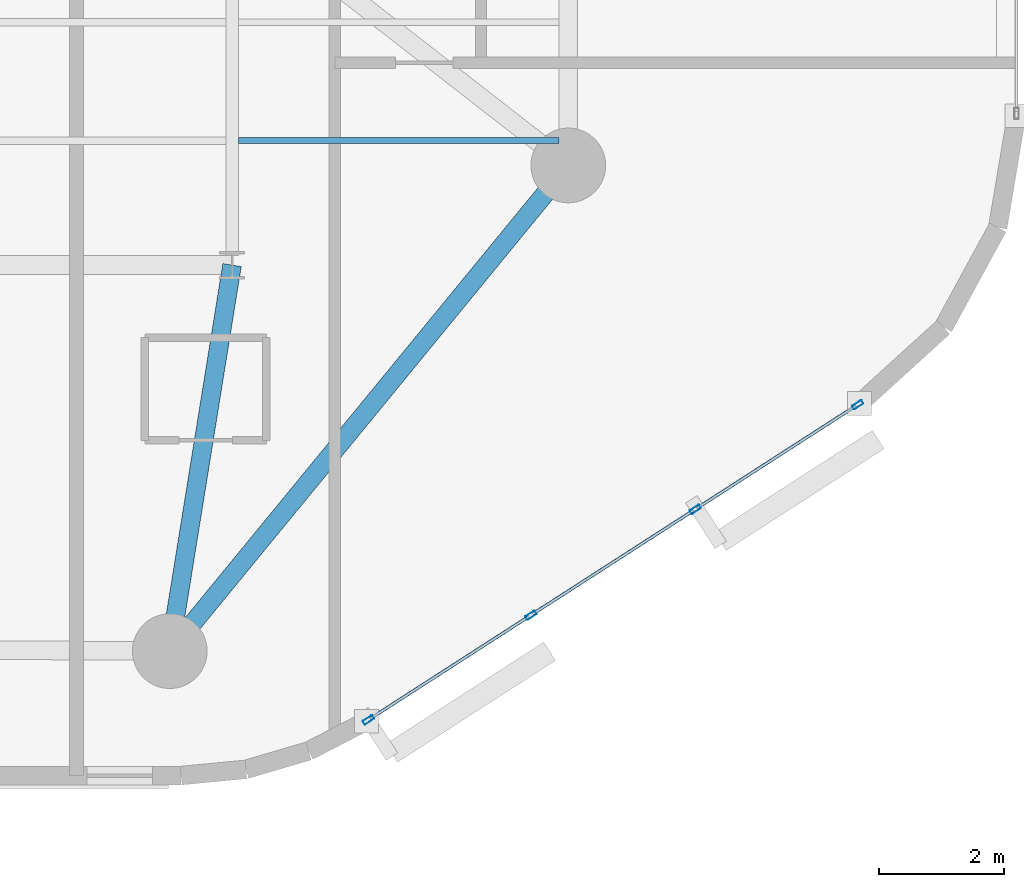
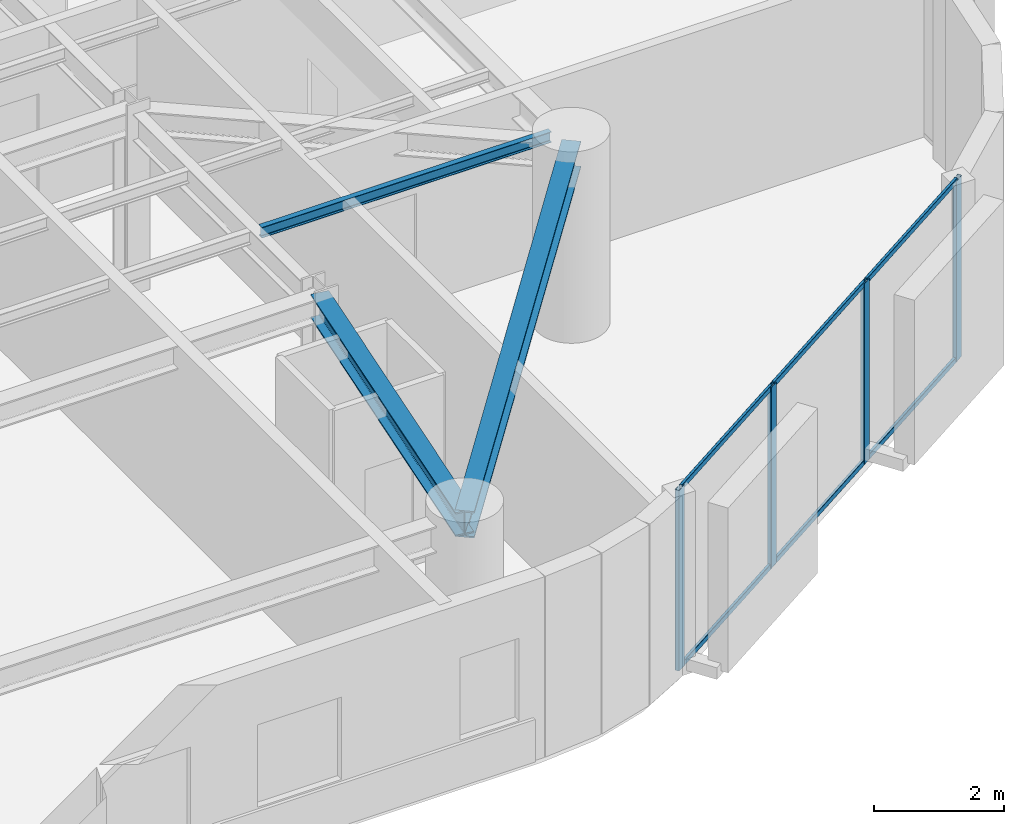
# One storey, part 2 of 15: 10 members, 3 beams, 1 element without a shape of its own.
"""IFC4 building model written with IfcOpenShell, lengths in metres."""

from ifc_helpers import new_model, si_unit, direction, frame, origin, origin_2d, place, context, subcontext, project, spatial, hollow_rectangle, i_section, extrude, material, layer, layer_set, material_profile, profile_set, type_object, element, aggregate, save


model = new_model("IFC4")

# Units and contexts
model_context = context("Model", 3, precision=1e-05, world=origin(), true_north=direction((0.0, 1.0)))
body_context = subcontext(model_context, "Body", "Model", "MODEL_VIEW")
ifc_project = project(units=[si_unit("LENGTHUNIT", "METRE"), si_unit("AREAUNIT", "SQUARE_METRE"), si_unit("VOLUMEUNIT", "CUBIC_METRE"), si_unit("PLANEANGLEUNIT", "RADIAN"), si_unit("MASSUNIT", "GRAM", prefix="KILO")], contexts=[model_context])

# Site, building, storey
site_placement = place(None, origin())
site = spatial("IfcSite", under=ifc_project, at=site_placement, CompositionType="ELEMENT")
building_placement = place(site_placement, origin())
building = spatial("IfcBuilding", under=site, at=building_placement, Name="An Khanh Terracotta Commons", CompositionType="ELEMENT")
storey_placement = place(building_placement, frame((0.0, 0.0, 147.39990234375)))
storey = spatial("IfcBuildingStorey", under=building, at=storey_placement, Name="L38", CompositionType="ELEMENT", Elevation=147.39990234375)

# Beams
ifc_material_1 = material(Name="Steel S355J2", Category="steel")
ifc_material_profile_1 = material_profile(ifc_material_1, i_section(OverallWidth=0.300048828125, OverallDepth=0.449951171875, WebThickness=0.013916015625, FlangeThickness=0.02587890625, FilletRadius=0.027099609375, at=origin_2d()), Name="HEB450")
ifc_profile_set_1 = profile_set([ifc_material_profile_1], Name="Steel S355J2")
beam_type_1 = type_object("IfcBeamType", Name="BM-HEB450", PredefinedType="BEAM", material=ifc_profile_set_1)
beam_1_placement = place(storey_placement, frame((49.39990234375, 8.199951171875, 3.175048828125), z_axis=(0.159233661074, 0.987240923575, 0.0), x_axis=(-0.987240923575, 0.159233661074, 0.0)))
element("IfcBeam", 1, at=beam_1_placement, inside=storey, type_object=beam_type_1, Name="L38 Mega-Column Tie Girder 2", PredefinedType="BEAM", context=body_context, shape_type="SweptSolid", body=[
    extrude(i_section(OverallWidth=0.300048828125, OverallDepth=0.449951171875, WebThickness=0.013916015625, FlangeThickness=0.02587890625, FilletRadius=0.027099609375, at=origin_2d()), origin(), (0.0, 0.0, 1.0), 6.280029296875),
])
ifc_material_profile_2 = material_profile(ifc_material_1, i_section(OverallWidth=0.300048828125, OverallDepth=0.5, WebThickness=0.014404296875, FlangeThickness=0.028076171875, FilletRadius=0.027099609375, at=origin_2d()), Name="HEB500")
ifc_profile_set_2 = profile_set([ifc_material_profile_2], Name="Steel S355J2")
beam_type_2 = type_object("IfcBeamType", Name="BM-HEB500", PredefinedType="BEAM", material=ifc_profile_set_2)
beam_2_placement = place(storey_placement, frame((49.39990234375, 8.199951171875, 3.150146484375), z_axis=(0.634322915223, 0.7730681983, 0.0), x_axis=(-0.7730681983, 0.634322915223, 0.0)))
element("IfcBeam", 2, at=beam_2_placement, inside=storey, type_object=beam_type_2, Name="L38 Perimeter Ring Spandrel 2", PredefinedType="BEAM", context=body_context, shape_type="SweptSolid", body=[
    extrude(i_section(OverallWidth=0.300048828125, OverallDepth=0.5, WebThickness=0.014404296875, FlangeThickness=0.028076171875, FilletRadius=0.027099609375, at=origin_2d()), origin(), (0.0, 0.0, 1.0), 10.08984375),
])
ifc_material_profile_3 = material_profile(ifc_material_1, i_section(OverallWidth=0.10009765625, OverallDepth=0.199951171875, WebThickness=0.005615234375, FlangeThickness=0.008544921875, FilletRadius=0.011962890625, at=origin_2d()), Name="IPE200")
ifc_profile_set_3 = profile_set([ifc_material_profile_3], Name="Steel S355J2")
beam_type_3 = type_object("IfcBeamType", Name="BM-IPE200", PredefinedType="JOIST", material=ifc_profile_set_3)
beam_3_placement = place(storey_placement, frame((50.5, 16.39990234375, 3.300048828125), z_axis=(1.0, 0.0, 0.0), x_axis=(0.0, 1.0, 0.0)))
element("IfcBeam", 3, at=beam_3_placement, inside=storey, type_object=beam_type_3, Name="L38 Riverfront Composite Joist 1", PredefinedType="JOIST", context=body_context, shape_type="SweptSolid", body=[
    extrude(i_section(OverallWidth=0.10009765625, OverallDepth=0.199951171875, WebThickness=0.005615234375, FlangeThickness=0.008544921875, FilletRadius=0.011962890625, at=origin_2d()), origin(), (0.0, 0.0, 1.0), 5.14990234375),
])

# Curtain wall, members
ifc_material_2 = material(Name="Anodised Aluminium 6063-T6", Category="aluminium")
ifc_layer = layer(ifc_material_2, 0.2099609375, Name="Anodised Aluminium 6063-T6")
ifc_layer_set = layer_set([ifc_layer], Name="Anodised Aluminium 6063-T6")
curtain_wall_type = type_object("IfcCurtainWallType", Name="CW-SYS-03", PredefinedType="USERDEFINED", material=ifc_layer_set)
curtain_wall_placement = place(storey_placement, origin())
curtain_wall = element("IfcCurtainWall", 4, at=curtain_wall_placement, inside=storey, type_object=curtain_wall_type, Name="L38 CW-03 Unitised Curtain Wall CW-L38-08", ObjectType="UNITISED CURTAIN WALL", PredefinedType="USERDEFINED")
ifc_material_profile_4 = material_profile(ifc_material_2, hollow_rectangle(XDim=0.070068359375, YDim=0.179931640625, WallThickness=0.00390625, InnerFilletRadius=0.00390625, OuterFilletRadius=0.008056640625, at=origin_2d()), Name="RHS180x70x4")
ifc_profile_set_4 = profile_set([ifc_material_profile_4], Name="Anodised Aluminium 6063-T6")
member_type_1 = type_object("IfcMemberType", Name="CWM-RHS180x70x4", PredefinedType="MULLION", material=ifc_profile_set_4)
member_1_placement = place(storey_placement, frame((52.58935546875, 7.094970703125, 0.0), z_axis=(0.0, 0.0, 1.0), x_axis=(-0.541497931062, 0.840702081986, 0.0)))
member_1 = element("IfcMember", 5, at=member_1_placement, type_object=member_type_1, Name="CW-03 mullion 1", PredefinedType="MULLION", context=body_context, shape_type="SweptSolid", body=[
    extrude(hollow_rectangle(XDim=0.070068359375, YDim=0.179931640625, WallThickness=0.00390625, InnerFilletRadius=0.00390625, OuterFilletRadius=0.008056640625, at=origin_2d()), origin(), (0.0, 0.0, 1.0), 3.400146484375),
])
member_2_placement = place(storey_placement, frame((55.19921875, 8.77587890625, 0.0), z_axis=(0.0, 0.0, 1.0), x_axis=(-0.541497931062, 0.840702081986, 0.0)))
member_2 = element("IfcMember", 6, at=member_2_placement, type_object=member_type_1, Name="CW-03 mullion 2", PredefinedType="MULLION", context=body_context, shape_type="SweptSolid", body=[
    extrude(hollow_rectangle(XDim=0.070068359375, YDim=0.179931640625, WallThickness=0.00390625, InnerFilletRadius=0.00390625, OuterFilletRadius=0.008056640625, at=origin_2d()), origin(), (0.0, 0.0, 1.0), 3.400146484375),
])
member_3_placement = place(storey_placement, frame((57.838623046875, 10.47607421875, 0.0), z_axis=(0.0, 0.0, 1.0), x_axis=(-0.541497931062, 0.840702081986, 0.0)))
member_3 = element("IfcMember", 7, at=member_3_placement, type_object=member_type_1, Name="CW-03 mullion 3", PredefinedType="MULLION", context=body_context, shape_type="SweptSolid", body=[
    extrude(hollow_rectangle(XDim=0.070068359375, YDim=0.179931640625, WallThickness=0.00390625, InnerFilletRadius=0.00390625, OuterFilletRadius=0.008056640625, at=origin_2d()), origin(), (0.0, 0.0, 1.0), 3.400146484375),
])
member_4_placement = place(storey_placement, frame((60.448486328125, 12.156982421875, 0.0), z_axis=(0.0, 0.0, 1.0), x_axis=(-0.541497931062, 0.840702081986, 0.0)))
member_4 = element("IfcMember", 8, at=member_4_placement, type_object=member_type_1, Name="CW-03 mullion 4", PredefinedType="MULLION", context=body_context, shape_type="SweptSolid", body=[
    extrude(hollow_rectangle(XDim=0.070068359375, YDim=0.179931640625, WallThickness=0.00390625, InnerFilletRadius=0.00390625, OuterFilletRadius=0.008056640625, at=origin_2d()), origin(), (0.0, 0.0, 1.0), 3.400146484375),
])
ifc_material_profile_5 = material_profile(ifc_material_2, hollow_rectangle(XDim=0.050048828125, YDim=0.10009765625, WallThickness=0.003173828125, InnerFilletRadius=0.003173828125, OuterFilletRadius=0.00634765625, at=origin_2d()), Name="RHS100x50x3.2")
ifc_profile_set_5 = profile_set([ifc_material_profile_5], Name="Anodised Aluminium 6063-T6")
member_type_2 = type_object("IfcMemberType", Name="CWT-RHS100x50x3.2", PredefinedType="USERDEFINED", material=ifc_profile_set_5)
member_5_placement = place(storey_placement, frame((52.618896484375, 7.114013671875, 0.025146484375), z_axis=(0.840710223453, 0.541485290826, 0.0), x_axis=(-0.541485290826, 0.840710223453, 0.0)))
member_5 = element("IfcMember", 9, at=member_5_placement, type_object=member_type_2, Name="CW-03 transom 1.1", ObjectType="TRANSOM", PredefinedType="USERDEFINED", context=body_context, shape_type="SweptSolid", body=[
    extrude(hollow_rectangle(XDim=0.050048828125, YDim=0.10009765625, WallThickness=0.003173828125, InnerFilletRadius=0.003173828125, OuterFilletRadius=0.00634765625, at=origin_2d()), origin(), (0.0, 0.0, 1.0), 3.034423828125),
])
member_6_placement = place(storey_placement, frame((52.618896484375, 7.114013671875, 3.375), z_axis=(0.840710223453, 0.541485290826, 0.0), x_axis=(-0.541485290826, 0.840710223453, 0.0)))
member_6 = element("IfcMember", 10, at=member_6_placement, type_object=member_type_2, Name="CW-03 transom 1.2", ObjectType="TRANSOM", PredefinedType="USERDEFINED", context=body_context, shape_type="SweptSolid", body=[
    extrude(hollow_rectangle(XDim=0.050048828125, YDim=0.10009765625, WallThickness=0.003173828125, InnerFilletRadius=0.003173828125, OuterFilletRadius=0.00634765625, at=origin_2d()), origin(), (0.0, 0.0, 1.0), 3.034423828125),
])
member_7_placement = place(storey_placement, frame((55.228759765625, 8.794921875, 0.025146484375), z_axis=(0.840707825526, 0.54148901383, 0.0), x_axis=(-0.54148901383, 0.840707825526, 0.0)))
member_7 = element("IfcMember", 11, at=member_7_placement, type_object=member_type_2, Name="CW-03 transom 2.1", ObjectType="TRANSOM", PredefinedType="USERDEFINED", context=body_context, shape_type="SweptSolid", body=[
    extrude(hollow_rectangle(XDim=0.050048828125, YDim=0.10009765625, WallThickness=0.003173828125, InnerFilletRadius=0.003173828125, OuterFilletRadius=0.00634765625, at=origin_2d()), origin(), (0.0, 0.0, 1.0), 3.069580078125),
])
member_8_placement = place(storey_placement, frame((55.228759765625, 8.794921875, 3.375), z_axis=(0.840707825526, 0.54148901383, 0.0), x_axis=(-0.54148901383, 0.840707825526, 0.0)))
member_8 = element("IfcMember", 12, at=member_8_placement, type_object=member_type_2, Name="CW-03 transom 2.2", ObjectType="TRANSOM", PredefinedType="USERDEFINED", context=body_context, shape_type="SweptSolid", body=[
    extrude(hollow_rectangle(XDim=0.050048828125, YDim=0.10009765625, WallThickness=0.003173828125, InnerFilletRadius=0.003173828125, OuterFilletRadius=0.00634765625, at=origin_2d()), origin(), (0.0, 0.0, 1.0), 3.069580078125),
])
member_9_placement = place(storey_placement, frame((57.8681640625, 10.494873046875, 0.025146484375), z_axis=(0.840673595852, 0.541542154626, 0.0), x_axis=(-0.541542154626, 0.840673595852, 0.0)))
member_9 = element("IfcMember", 13, at=member_9_placement, type_object=member_type_2, Name="CW-03 transom 3.1", ObjectType="TRANSOM", PredefinedType="USERDEFINED", context=body_context, shape_type="SweptSolid", body=[
    extrude(hollow_rectangle(XDim=0.050048828125, YDim=0.10009765625, WallThickness=0.003173828125, InnerFilletRadius=0.003173828125, OuterFilletRadius=0.00634765625, at=origin_2d()), origin(), (0.0, 0.0, 1.0), 3.034423828125),
])
member_10_placement = place(storey_placement, frame((57.8681640625, 10.494873046875, 3.375), z_axis=(0.840673595852, 0.541542154626, 0.0), x_axis=(-0.541542154626, 0.840673595852, 0.0)))
member_10 = element("IfcMember", 14, at=member_10_placement, type_object=member_type_2, Name="CW-03 transom 3.2", ObjectType="TRANSOM", PredefinedType="USERDEFINED", context=body_context, shape_type="SweptSolid", body=[
    extrude(hollow_rectangle(XDim=0.050048828125, YDim=0.10009765625, WallThickness=0.003173828125, InnerFilletRadius=0.003173828125, OuterFilletRadius=0.00634765625, at=origin_2d()), origin(), (0.0, 0.0, 1.0), 3.034423828125),
])
aggregate(curtain_wall, [member_1, member_2, member_3, member_4, member_5, member_6, member_7, member_8, member_9, member_10])

save(model, "model.ifc")
